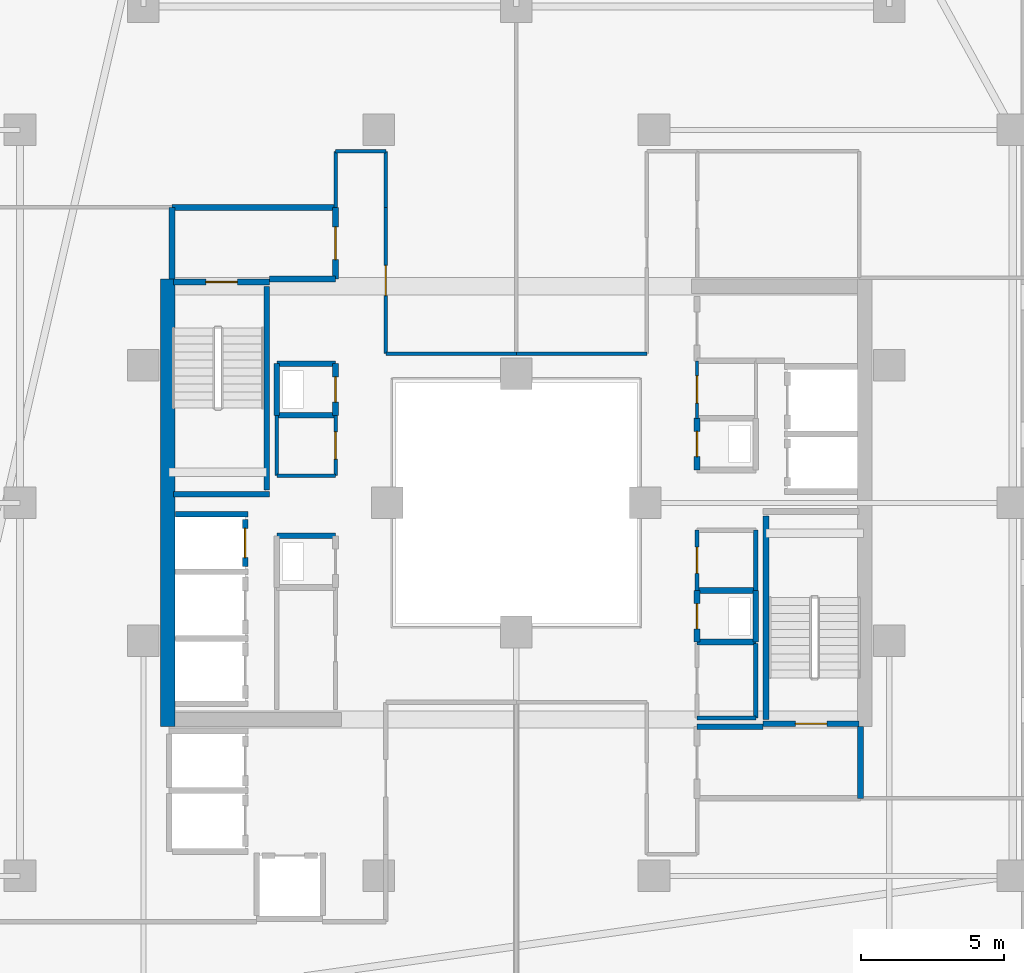
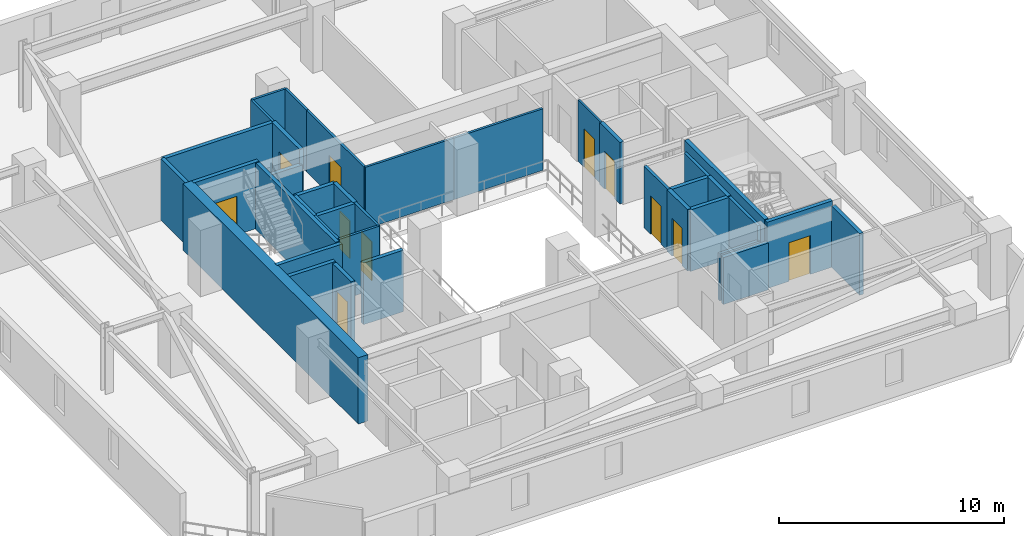
# One storey, part 24 of 32: 38 walls, 11 doors, 11 openings.
"""IFC4 building model written with IfcOpenShell, lengths in metres."""

from ifc_helpers import new_model, si_unit, direction, frame, frame_2d, origin, place, context, subcontext, project, spatial, rectangle, extrude, material, layer, layer_set, type_object, element, fill, save


model = new_model("IFC4")

# Units and contexts
model_context = context("Model", 3, precision=1e-05, world=origin(), true_north=direction((0.0, 1.0)))
body_context = subcontext(model_context, "Body", "Model", "MODEL_VIEW")
ifc_project = project(units=[si_unit("LENGTHUNIT", "METRE"), si_unit("AREAUNIT", "SQUARE_METRE"), si_unit("VOLUMEUNIT", "CUBIC_METRE"), si_unit("PLANEANGLEUNIT", "RADIAN"), si_unit("MASSUNIT", "GRAM", prefix="KILO")], contexts=[model_context])

# Site, building, storey
site_placement = place(None, origin())
site = spatial("IfcSite", under=ifc_project, at=site_placement, CompositionType="ELEMENT")
building_placement = place(site_placement, origin())
building = spatial("IfcBuilding", under=site, at=building_placement, Name="Thornwick Lancets Civic Towers", CompositionType="ELEMENT")
storey_placement = place(building_placement, frame((0.0, 0.0, 178.5)))
storey = spatial("IfcBuildingStorey", under=building, at=storey_placement, Name="L47", CompositionType="ELEMENT", Elevation=178.5)

# Wall, opening, door
ifc_material_1 = material(Name="Concrete blockwork C40/50", Category="masonry")
ifc_layer_1 = layer(ifc_material_1, 0.199951171875, Name="Concrete blockwork C40/50")
ifc_layer_set_1 = layer_set([ifc_layer_1], Name="Concrete blockwork C40/50")
wall_type_1 = type_object("IfcWallType", Name="WALL_COMP_200", PredefinedType="STANDARD", material=ifc_layer_set_1)
wall_1_placement = place(storey_placement, frame((79.050048828125, 24.780029296875, 0.0), z_axis=(0.0, 0.0, 1.0), x_axis=(0.0, 1.0, 0.0)))
wall_1 = element("IfcWall", 1, at=wall_1_placement, inside=storey, type_object=wall_type_1, Name="L47 Hoistway Front Wall FL-B2", PredefinedType="STANDARD", context=body_context, shape_type="SweptSolid", body=[
    extrude(rectangle(XDim=1.639892578125, YDim=0.199951171875, at=frame_2d((0.81982421875, 0.0))), origin(), (0.0, 0.0, 1.0), 3.340087890625),
])
opening_1_placement = place(wall_1_placement, frame((0.31005859375, 0.0, 0.0)))
opening_1 = element("IfcOpeningElement", 2, at=opening_1_placement, cuts=wall_1, Name="Opening LD-FL-B2", PredefinedType="OPENING", context=body_context, shape_type="SweptSolid", body=[
    extrude(rectangle(XDim=1.02001953125, YDim=2.06005859375, at=frame_2d((0.510009765625, 1.030029296875))), frame((0.0, 0.10986328125, 0.0), z_axis=(0.0, -1.0, 0.0), x_axis=(1.0, 0.0, 0.0)), (0.0, 0.0, 1.0), 0.219970703125),
])
ifc_material_2 = material(Name="Brushed bronze stainless steel", Category="steel")
door_type_1 = type_object("IfcDoorType", Name="DOOR_LIFT_SLIDE", OperationType="SLIDING_TO_LEFT", PredefinedType="DOOR", material=ifc_material_2)
door_1_placement = place(opening_1_placement, origin())
door_1 = element("IfcDoor", 3, at=door_1_placement, inside=storey, type_object=door_type_1, Name="L47 Sliding Lift Landing Door LD-FL-B2", OperationType="SLIDING_TO_LEFT", OverallHeight=2.06005859375, OverallWidth=1.02001953125, PredefinedType="DOOR", context=body_context, shape_type="SweptSolid", body=[
    extrude(rectangle(XDim=1.02001953125, YDim=2.06005859375, at=frame_2d((0.510009765625, 1.030029296875))), frame((0.0, 0.02490234375, 0.0), z_axis=(0.0, -1.0, 0.0), x_axis=(1.0, 0.0, 0.0)), (0.0, 0.0, 1.0), 0.050048828125),
])
fill(opening_1, door_1)

# Walls
wall_2_placement = place(storey_placement, frame((76.612060546875, 26.60009765625, 0.0), z_axis=(0.0, 0.0, 1.0), x_axis=(1.0, 0.0, 0.0)))
element("IfcWall", 4, at=wall_2_placement, inside=storey, type_object=wall_type_1, Name="L47 Hoistway Shaft Wall FL-B2 N", PredefinedType="STANDARD", context=body_context, shape_type="SweptSolid", body=[
    extrude(rectangle(XDim=2.535888671875, YDim=0.199951171875, at=frame_2d((1.26806640625, 0.0))), origin(), (0.0, 0.0, 1.0), 3.340087890625),
])
wall_3_placement = place(storey_placement, frame((100.5, 16.699951171875, 0.0), z_axis=(0.0, 0.0, 1.0), x_axis=(0.0, 1.0, 0.0)))
element("IfcWall", 5, at=wall_3_placement, inside=storey, type_object=wall_type_1, Name="L47 Partition L47-B-FFLOB1 E2", PredefinedType="STANDARD", context=body_context, shape_type="SweptSolid", body=[
    extrude(rectangle(XDim=2.5, YDim=0.199951171875, at=frame_2d((1.25, 0.0))), origin(), (0.0, 0.0, 1.0), 3.340087890625),
])
for number, where, z_axis, x_axis, name in (
    (6, (97.10009765625, 19.199951171875, 0.0), (0.0, 0.0, 1.0), (-1.0, 0.0, 0.0), "L47 Partition L47-B-FFLOB1 E3"),
    (7, (79.89990234375, 34.800048828125, 0.0), (0.0, 0.0, 1.0), (1.0, 0.0, 0.0), "L47 Partition L47-B-FFLOB2 E1"),
):
    element("IfcWall", number, at=place(storey_placement, frame(where, z_axis=z_axis, x_axis=x_axis)), inside=storey, type_object=wall_type_1, Name=name, PredefinedType="STANDARD", context=body_context, shape_type="SweptSolid", body=[
        extrude(rectangle(XDim=2.300048828125, YDim=0.199951171875, at=frame_2d((1.14990234375, 0.0))), origin(), (0.0, 0.0, 1.0), 2.544921875),
    ])

# Wall, opening, door
wall_4_placement = place(storey_placement, frame((82.199951171875, 34.800048828125, 0.0), z_axis=(0.0, 0.0, 1.0), x_axis=(0.0, 1.0, 0.0)))
wall_4 = element("IfcWall", 8, at=wall_4_placement, inside=storey, type_object=wall_type_1, Name="L47 Partition L47-B-FFLOB2 E2", PredefinedType="STANDARD", context=body_context, shape_type="SweptSolid", body=[
    extrude(rectangle(XDim=2.5, YDim=0.199951171875, at=frame_2d((1.25, 0.0))), origin(), (0.0, 0.0, 1.0), 3.340087890625),
])
opening_2_placement = place(wall_4_placement, frame((0.675048828125, 0.0, 0.0)))
opening_2 = element("IfcOpeningElement", 9, at=opening_2_placement, cuts=wall_4, Name="Opening D-L47-2100", PredefinedType="OPENING", context=body_context, shape_type="SweptSolid", body=[
    extrude(rectangle(XDim=1.14990234375, YDim=2.10009765625, at=frame_2d((0.574951171875, 1.050048828125))), frame((0.0, 0.10986328125, 0.0), z_axis=(0.0, -1.0, 0.0), x_axis=(1.0, 0.0, 0.0)), (0.0, 0.0, 1.0), 0.219970703125),
])
ifc_material_3 = material(Name="Glazed fire-resisting steel", Category="steel")
door_type_2 = type_object("IfcDoorType", Name="DOOR_LOBBY_FD60", OperationType="NOTDEFINED", PredefinedType="DOOR", material=ifc_material_3)
door_2_placement = place(opening_2_placement, origin())
door_2 = element("IfcDoor", 10, at=door_2_placement, inside=storey, type_object=door_type_2, Name="L47 West Firefighting Lobby 2 Door", OperationType="SINGLE_SWING_LEFT", OverallHeight=2.10009765625, OverallWidth=1.14990234375, PredefinedType="DOOR", context=body_context, shape_type="SweptSolid", body=[
    extrude(rectangle(XDim=1.14990234375, YDim=2.10009765625, at=frame_2d((0.574951171875, 1.050048828125))), frame((0.0, 0.02490234375, 0.0), z_axis=(0.0, -1.0, 0.0), x_axis=(1.0, 0.0, 0.0)), (0.0, 0.0, 1.0), 0.050048828125),
])
fill(opening_2, door_2)

# Walls
wall_5_placement = place(storey_placement, frame((82.199951171875, 37.300048828125, 0.0), z_axis=(0.0, 0.0, 1.0), x_axis=(-1.0, 0.0, 0.0)))
element("IfcWall", 11, at=wall_5_placement, inside=storey, type_object=wall_type_1, Name="L47 Partition L47-B-FFLOB2 E3", PredefinedType="STANDARD", context=body_context, shape_type="SweptSolid", body=[
    extrude(rectangle(XDim=5.699951171875, YDim=0.199951171875, at=frame_2d((2.85009765625, 0.0))), origin(), (0.0, 0.0, 1.0), 3.340087890625),
])
wall_6_placement = place(storey_placement, frame((76.5, 37.300048828125, 0.0), z_axis=(0.0, 0.0, 1.0), x_axis=(0.0, -1.0, 0.0)))
element("IfcWall", 12, at=wall_6_placement, inside=storey, type_object=wall_type_1, Name="L47 Partition L47-B-FFLOB2 E4", PredefinedType="STANDARD", context=body_context, shape_type="SweptSolid", body=[
    extrude(rectangle(XDim=2.5, YDim=0.199951171875, at=frame_2d((1.25, 0.0))), origin(), (0.0, 0.0, 1.0), 3.340087890625),
])

# Wall, opening, door
wall_7_placement = place(storey_placement, frame((94.800048828125, 29.949951171875, 0.0), z_axis=(0.0, 0.0, 1.0), x_axis=(0.0, -1.0, 0.0)))
wall_7 = element("IfcWall", 13, at=wall_7_placement, inside=storey, type_object=wall_type_1, Name="L47 Partition L47-B-DUCT1 E4", PredefinedType="STANDARD", context=body_context, shape_type="SweptSolid", body=[
    extrude(rectangle(XDim=1.800048828125, YDim=0.199951171875, at=frame_2d((0.89990234375, 0.0))), origin(), (0.0, 0.0, 1.0), 3.340087890625),
])
opening_3_placement = place(wall_7_placement, frame((0.4599609375, 0.0, 0.0)))
opening_3 = element("IfcOpeningElement", 14, at=opening_3_placement, cuts=wall_7, Name="Opening D-L47-2101", PredefinedType="OPENING", context=body_context, shape_type="SweptSolid", body=[
    extrude(rectangle(XDim=0.8798828125, YDim=2.0400390625, at=frame_2d((0.43994140625, 1.02001953125))), frame((0.0, 0.10986328125, 0.0), z_axis=(0.0, -1.0, 0.0), x_axis=(1.0, 0.0, 0.0)), (0.0, 0.0, 1.0), 0.219970703125),
])
ifc_material_4 = material(Name="Steel riser access doorset", Category="steel")
door_type_3 = type_object("IfcDoorType", Name="DOOR_RISER_850", OperationType="NOTDEFINED", PredefinedType="DOOR", material=ifc_material_4)
door_3_placement = place(opening_3_placement, origin())
door_3 = element("IfcDoor", 15, at=door_3_placement, inside=storey, type_object=door_type_3, Name="L47 East Service Duct 1 Door", OperationType="SINGLE_SWING_RIGHT", OverallHeight=2.0400390625, OverallWidth=0.8798828125, PredefinedType="DOOR", context=body_context, shape_type="SweptSolid", body=[
    extrude(rectangle(XDim=0.8798828125, YDim=2.0400390625, at=frame_2d((0.43994140625, 1.02001953125))), frame((0.0, 0.02490234375, 0.0), z_axis=(0.0, -1.0, 0.0), x_axis=(1.0, 0.0, 0.0)), (0.0, 0.0, 1.0), 0.050048828125),
])
fill(opening_3, door_3)

# Walls
wall_8_placement = place(storey_placement, frame((94.800048828125, 22.14990234375, 0.0), z_axis=(0.0, 0.0, 1.0), x_axis=(1.0, 0.0, 0.0)))
element("IfcWall", 16, at=wall_8_placement, inside=storey, type_object=wall_type_1, Name="L47 Partition L47-B-RISER1 E1", PredefinedType="STANDARD", context=body_context, shape_type="SweptSolid", body=[
    extrude(rectangle(XDim=2.050048828125, YDim=0.199951171875, at=frame_2d((1.02490234375, 0.0))), origin(), (0.0, 0.0, 1.0), 3.340087890625),
])
wall_9_placement = place(storey_placement, frame((96.85009765625, 22.14990234375, 0.0), z_axis=(0.0, 0.0, 1.0), x_axis=(0.0, 1.0, 0.0)))
element("IfcWall", 17, at=wall_9_placement, inside=storey, type_object=wall_type_1, Name="L47 Partition L47-B-RISER1 E2", PredefinedType="STANDARD", context=body_context, shape_type="SweptSolid", body=[
    extrude(rectangle(XDim=1.800048828125, YDim=0.199951171875, at=frame_2d((0.89990234375, 0.0))), origin(), (0.0, 0.0, 1.0), 3.340087890625),
])
wall_10_placement = place(storey_placement, frame((96.85009765625, 23.949951171875, 0.0), z_axis=(0.0, 0.0, 1.0), x_axis=(-1.0, 0.0, 0.0)))
element("IfcWall", 18, at=wall_10_placement, inside=storey, type_object=wall_type_1, Name="L47 Partition L47-B-RISER1 E3", PredefinedType="STANDARD", context=body_context, shape_type="SweptSolid", body=[
    extrude(rectangle(XDim=2.050048828125, YDim=0.199951171875, at=frame_2d((1.02490234375, 0.0))), origin(), (0.0, 0.0, 1.0), 3.340087890625),
])

# Wall, opening, door
wall_11_placement = place(storey_placement, frame((94.800048828125, 23.949951171875, 0.0), z_axis=(0.0, 0.0, 1.0), x_axis=(0.0, -1.0, 0.0)))
wall_11 = element("IfcWall", 19, at=wall_11_placement, inside=storey, type_object=wall_type_1, Name="L47 Partition L47-B-RISER1 E4", PredefinedType="STANDARD", context=body_context, shape_type="SweptSolid", body=[
    extrude(rectangle(XDim=1.800048828125, YDim=0.199951171875, at=frame_2d((0.89990234375, 0.0))), origin(), (0.0, 0.0, 1.0), 3.340087890625),
])
opening_4_placement = place(wall_11_placement, frame((0.4599609375, 0.0, 0.0)))
opening_4 = element("IfcOpeningElement", 20, at=opening_4_placement, cuts=wall_11, Name="Opening D-L47-2102", PredefinedType="OPENING", context=body_context, shape_type="SweptSolid", body=[
    extrude(rectangle(XDim=0.8798828125, YDim=2.0400390625, at=frame_2d((0.43994140625, 1.02001953125))), frame((0.0, 0.10986328125, 0.0), z_axis=(0.0, -1.0, 0.0), x_axis=(1.0, 0.0, 0.0)), (0.0, 0.0, 1.0), 0.219970703125),
])
door_4_placement = place(opening_4_placement, origin())
door_4 = element("IfcDoor", 21, at=door_4_placement, inside=storey, type_object=door_type_3, Name="L47 East Electrical Riser 1 Door", OperationType="SINGLE_SWING_LEFT", OverallHeight=2.0400390625, OverallWidth=0.8798828125, PredefinedType="DOOR", context=body_context, shape_type="SweptSolid", body=[
    extrude(rectangle(XDim=0.8798828125, YDim=2.0400390625, at=frame_2d((0.43994140625, 1.02001953125))), frame((0.0, 0.02490234375, 0.0), z_axis=(0.0, -1.0, 0.0), x_axis=(1.0, 0.0, 0.0)), (0.0, 0.0, 1.0), 0.050048828125),
])
fill(opening_4, door_4)

# Walls
for number, where, z_axis, x_axis, name in (
    (22, (82.199951171875, 25.85009765625, 0.0), (0.0, 0.0, 1.0), (-1.0, 0.0, 0.0), "L47 Partition L47-B-DUCT2 E3"),
    (23, (80.14990234375, 30.050048828125, 0.0), (0.0, 0.0, 1.0), (1.0, 0.0, 0.0), "L47 Partition L47-B-RISER2 E1"),
):
    element("IfcWall", number, at=place(storey_placement, frame(where, z_axis=z_axis, x_axis=x_axis)), inside=storey, type_object=wall_type_1, Name=name, PredefinedType="STANDARD", context=body_context, shape_type="SweptSolid", body=[
        extrude(rectangle(XDim=2.050048828125, YDim=0.199951171875, at=frame_2d((1.02490234375, 0.0))), origin(), (0.0, 0.0, 1.0), 3.340087890625),
    ])

# Wall, opening, door
wall_12_placement = place(storey_placement, frame((82.199951171875, 30.050048828125, 0.0), z_axis=(0.0, 0.0, 1.0), x_axis=(0.0, 1.0, 0.0)))
wall_12 = element("IfcWall", 24, at=wall_12_placement, inside=storey, type_object=wall_type_1, Name="L47 Partition L47-B-RISER2 E2", PredefinedType="STANDARD", context=body_context, shape_type="SweptSolid", body=[
    extrude(rectangle(XDim=1.800048828125, YDim=0.199951171875, at=frame_2d((0.89990234375, 0.0))), origin(), (0.0, 0.0, 1.0), 3.340087890625),
])
opening_5_placement = place(wall_12_placement, frame((0.4599609375, 0.0, 0.0)))
opening_5 = element("IfcOpeningElement", 25, at=opening_5_placement, cuts=wall_12, Name="Opening D-L47-2104", PredefinedType="OPENING", context=body_context, shape_type="SweptSolid", body=[
    extrude(rectangle(XDim=0.8798828125, YDim=2.0400390625, at=frame_2d((0.43994140625, 1.02001953125))), frame((0.0, 0.10986328125, 0.0), z_axis=(0.0, -1.0, 0.0), x_axis=(1.0, 0.0, 0.0)), (0.0, 0.0, 1.0), 0.219970703125),
])
door_5_placement = place(opening_5_placement, origin())
door_5 = element("IfcDoor", 26, at=door_5_placement, inside=storey, type_object=door_type_3, Name="L47 West Service Riser 2 Door", OperationType="SINGLE_SWING_LEFT", OverallHeight=2.0400390625, OverallWidth=0.8798828125, PredefinedType="DOOR", context=body_context, shape_type="SweptSolid", body=[
    extrude(rectangle(XDim=0.8798828125, YDim=2.0400390625, at=frame_2d((0.43994140625, 1.02001953125))), frame((0.0, 0.02490234375, 0.0), z_axis=(0.0, -1.0, 0.0), x_axis=(1.0, 0.0, 0.0)), (0.0, 0.0, 1.0), 0.050048828125),
])
fill(opening_5, door_5)

# Walls
wall_13_placement = place(storey_placement, frame((82.199951171875, 31.85009765625, 0.0), z_axis=(0.0, 0.0, 1.0), x_axis=(-1.0, 0.0, 0.0)))
element("IfcWall", 27, at=wall_13_placement, inside=storey, type_object=wall_type_1, Name="L47 Partition L47-B-RISER2 E3", PredefinedType="STANDARD", context=body_context, shape_type="SweptSolid", body=[
    extrude(rectangle(XDim=2.050048828125, YDim=0.199951171875, at=frame_2d((1.02490234375, 0.0))), origin(), (0.0, 0.0, 1.0), 3.340087890625),
])
wall_14_placement = place(storey_placement, frame((80.14990234375, 31.85009765625, 0.0), z_axis=(0.0, 0.0, 1.0), x_axis=(0.0, -1.0, 0.0)))
element("IfcWall", 28, at=wall_14_placement, inside=storey, type_object=wall_type_1, Name="L47 Partition L47-B-RISER2 E4", PredefinedType="STANDARD", context=body_context, shape_type="SweptSolid", body=[
    extrude(rectangle(XDim=1.800048828125, YDim=0.199951171875, at=frame_2d((0.89990234375, 0.0))), origin(), (0.0, 0.0, 1.0), 3.340087890625),
])
ifc_material_5 = material(Name="Concrete C50/60", Category="concrete")
ifc_layer_2 = layer(ifc_material_5, 0.5, Name="Concrete C50/60")
ifc_layer_set_2 = layer_set([ifc_layer_2], Name="Concrete C50/60")
wall_type_2 = type_object("IfcWallType", Name="WALL_CORE_500", PredefinedType="SHEAR", material=ifc_layer_set_2)
wall_15_placement = place(storey_placement, frame((76.35009765625, 19.199951171875, 0.0), z_axis=(0.0, 0.0, 1.0), x_axis=(0.0, 1.0, 0.0)))
element("IfcWall", 29, at=wall_15_placement, inside=storey, type_object=wall_type_2, Name="L47 Split Core B2 Shear Wall W", PredefinedType="SHEAR", context=body_context, shape_type="SweptSolid", body=[
    extrude(rectangle(XDim=15.60009765625, YDim=0.5, at=frame_2d((7.800048828125, 0.0))), origin(), (0.0, 0.0, 1.0), 3.60009765625),
])

# Wall, opening, door
ifc_material_6 = material(Name="Lightweight cellular office partition")
ifc_layer_3 = layer(ifc_material_6, 0.10009765625, Name="Lightweight cellular office partition")
ifc_layer_set_3 = layer_set([ifc_layer_3], Name="Lightweight cellular office partition")
wall_type_3 = type_object("IfcWallType", Name="WALL_PART_100", PredefinedType="PARTITIONING", material=ifc_layer_set_3)
wall_16_placement = place(storey_placement, frame((94.800048828125, 29.949951171875, 0.0), z_axis=(0.0, 0.0, 1.0), x_axis=(0.0, 1.0, 0.0)))
wall_16 = element("IfcWall", 30, at=wall_16_placement, inside=storey, type_object=wall_type_3, Name="L47 Partition L47-B-CLN E1", PredefinedType="PARTITIONING", context=body_context, shape_type="SweptSolid", body=[
    extrude(rectangle(XDim=2.0, YDim=0.10009765625, at=frame_2d((1.0, 0.0))), origin(), (0.0, 0.0, 1.0), 3.340087890625),
])
opening_6_placement = place(wall_16_placement, frame((0.52490234375, 0.0, 0.0)))
opening_6 = element("IfcOpeningElement", 31, at=opening_6_placement, cuts=wall_16, Name="Opening D-L47-2107", PredefinedType="OPENING", context=body_context, shape_type="SweptSolid", body=[
    extrude(rectangle(XDim=0.949951171875, YDim=2.10009765625, at=frame_2d((0.47509765625, 1.050048828125))), frame((0.0, 0.06005859375, 0.0), z_axis=(0.0, -1.0, 0.0), x_axis=(1.0, 0.0, 0.0)), (0.0, 0.0, 1.0), 0.1201171875),
])
ifc_material_7 = material(Name="European oak acoustic doorset")
door_type_4 = type_object("IfcDoorType", Name="DOOR_OFFICE_950", OperationType="NOTDEFINED", PredefinedType="DOOR", material=ifc_material_7)
door_6_placement = place(opening_6_placement, origin())
door_6 = element("IfcDoor", 32, at=door_6_placement, inside=storey, type_object=door_type_4, Name="L47 Tower B Cleaners Store Door", OperationType="SINGLE_SWING_RIGHT", OverallHeight=2.10009765625, OverallWidth=0.949951171875, PredefinedType="DOOR", context=body_context, shape_type="SweptSolid", body=[
    extrude(rectangle(XDim=0.949951171875, YDim=2.10009765625, at=frame_2d((0.47509765625, 1.050048828125))), frame((0.0, 0.02490234375, 0.0), z_axis=(0.0, -1.0, 0.0), x_axis=(1.0, 0.0, 0.0)), (0.0, 0.0, 1.0), 0.050048828125),
])
fill(opening_6, door_6)

# Walls
ifc_material_8 = material(Name="Acoustic gypsum board partition")
ifc_layer_4 = layer(ifc_material_8, 0.1201171875, Name="Acoustic gypsum board partition")
ifc_layer_set_4 = layer_set([ifc_layer_4], Name="Acoustic gypsum board partition")
wall_type_4 = type_object("IfcWallType", Name="WALL_PART_120", PredefinedType="PARTITIONING", material=ifc_layer_set_4)
wall_17_placement = place(storey_placement, frame((82.199951171875, 27.949951171875, 0.0), z_axis=(0.0, 0.0, 1.0), x_axis=(-1.0, 0.0, 0.0)))
element("IfcWall", 33, at=wall_17_placement, inside=storey, type_object=wall_type_4, Name="L47 Partition L47-B-ITR E1", PredefinedType="PARTITIONING", context=body_context, shape_type="SweptSolid", body=[
    extrude(rectangle(XDim=2.050048828125, YDim=0.1201171875, at=frame_2d((1.02490234375, 0.0))), origin(), (0.0, 0.0, 1.0), 3.340087890625),
])
wall_18_placement = place(storey_placement, frame((80.14990234375, 27.949951171875, 0.0), z_axis=(0.0, 0.0, 1.0), x_axis=(0.0, 1.0, 0.0)))
element("IfcWall", 34, at=wall_18_placement, inside=storey, type_object=wall_type_4, Name="L47 Partition L47-B-ITR E2", PredefinedType="PARTITIONING", context=body_context, shape_type="SweptSolid", body=[
    extrude(rectangle(XDim=2.10009765625, YDim=0.1201171875, at=frame_2d((1.050048828125, 0.0))), origin(), (0.0, 0.0, 1.0), 3.340087890625),
])

# Wall, opening, door
wall_19_placement = place(storey_placement, frame((82.199951171875, 30.050048828125, 0.0), z_axis=(0.0, 0.0, 1.0), x_axis=(0.0, -1.0, 0.0)))
wall_19 = element("IfcWall", 35, at=wall_19_placement, inside=storey, type_object=wall_type_4, Name="L47 Partition L47-B-ITR E4", PredefinedType="PARTITIONING", context=body_context, shape_type="SweptSolid", body=[
    extrude(rectangle(XDim=2.10009765625, YDim=0.1201171875, at=frame_2d((1.050048828125, 0.0))), origin(), (0.0, 0.0, 1.0), 3.340087890625),
])
opening_7_placement = place(wall_19_placement, frame((0.574951171875, 0.0, 0.0)))
opening_7 = element("IfcOpeningElement", 36, at=opening_7_placement, cuts=wall_19, Name="Opening D-L47-2110", PredefinedType="OPENING", context=body_context, shape_type="SweptSolid", body=[
    extrude(rectangle(XDim=0.949951171875, YDim=2.10009765625, at=frame_2d((0.47509765625, 1.050048828125))), frame((0.0, 0.070068359375, 0.0), z_axis=(0.0, -1.0, 0.0), x_axis=(1.0, 0.0, 0.0)), (0.0, 0.0, 1.0), 0.14013671875),
])
door_7_placement = place(opening_7_placement, origin())
door_7 = element("IfcDoor", 37, at=door_7_placement, inside=storey, type_object=door_type_4, Name="L47 Tower B Comms Patch Room Door", OperationType="SINGLE_SWING_LEFT", OverallHeight=2.10009765625, OverallWidth=0.949951171875, PredefinedType="DOOR", context=body_context, shape_type="SweptSolid", body=[
    extrude(rectangle(XDim=0.949951171875, YDim=2.10009765625, at=frame_2d((0.47509765625, 1.050048828125))), frame((0.0, 0.02490234375, 0.0), z_axis=(0.0, -1.0, 0.0), x_axis=(1.0, 0.0, 0.0)), (0.0, 0.0, 1.0), 0.050048828125),
])
fill(opening_7, door_7)

# Wall
wall_20_placement = place(storey_placement, frame((93.050048828125, 32.199951171875, 0.0), z_axis=(0.0, 0.0, 1.0), x_axis=(-1.0, 0.0, 0.0)))
element("IfcWall", 38, at=wall_20_placement, inside=storey, type_object=wall_type_4, Name="L47 Partition L47-B-E1 E5", PredefinedType="PARTITIONING", context=body_context, shape_type="SweptSolid", body=[
    extrude(rectangle(XDim=4.550048828125, YDim=0.1201171875, at=frame_2d((2.27490234375, 0.0))), origin(), (0.0, 0.0, 1.0), 3.340087890625),
])

# Wall, opening, door
wall_21_placement = place(storey_placement, frame((83.949951171875, 32.199951171875, 0.0), z_axis=(0.0, 0.0, 1.0), x_axis=(0.0, 1.0, 0.0)))
wall_21 = element("IfcWall", 39, at=wall_21_placement, inside=storey, type_object=wall_type_4, Name="L47 Partition L47-B-E3 E1", PredefinedType="PARTITIONING", context=body_context, shape_type="SweptSolid", body=[
    extrude(rectangle(XDim=5.10009765625, YDim=0.1201171875, at=frame_2d((2.550048828125, 0.0))), origin(), (0.0, 0.0, 1.0), 3.340087890625),
])
opening_8_placement = place(wall_21_placement, frame((2.02490234375, 0.0, 0.0)))
opening_8 = element("IfcOpeningElement", 40, at=opening_8_placement, cuts=wall_21, Name="Opening D-L47-2120", PredefinedType="OPENING", context=body_context, shape_type="SweptSolid", body=[
    extrude(rectangle(XDim=1.050048828125, YDim=2.10009765625, at=frame_2d((0.52490234375, 1.050048828125))), frame((0.0, 0.070068359375, 0.0), z_axis=(0.0, -1.0, 0.0), x_axis=(1.0, 0.0, 0.0)), (0.0, 0.0, 1.0), 0.14013671875),
])
ifc_material_9 = material(Name="Glazed European oak executive doorset")
door_type_5 = type_object("IfcDoorType", Name="DOOR_OFFICE_1050", OperationType="NOTDEFINED", PredefinedType="DOOR", material=ifc_material_9)
door_8_placement = place(opening_8_placement, origin())
door_8 = element("IfcDoor", 41, at=door_8_placement, inside=storey, type_object=door_type_5, Name="L47 Tower B Civic Seminar Room Door", OperationType="SINGLE_SWING_LEFT", OverallHeight=2.10009765625, OverallWidth=1.050048828125, PredefinedType="DOOR", context=body_context, shape_type="SweptSolid", body=[
    extrude(rectangle(XDim=1.050048828125, YDim=2.10009765625, at=frame_2d((0.52490234375, 1.050048828125))), frame((0.0, 0.02490234375, 0.0), z_axis=(0.0, -1.0, 0.0), x_axis=(1.0, 0.0, 0.0)), (0.0, 0.0, 1.0), 0.050048828125),
])
fill(opening_8, door_8)

# Walls
wall_22_placement = place(storey_placement, frame((83.949951171875, 37.300048828125, 0.0), z_axis=(0.0, 0.0, 1.0), x_axis=(0.0, 1.0, 0.0)))
element("IfcWall", 42, at=wall_22_placement, inside=storey, type_object=wall_type_4, Name="L47 Partition L47-B-E3 E2", PredefinedType="PARTITIONING", context=body_context, shape_type="SweptSolid", body=[
    extrude(rectangle(XDim=1.949951171875, YDim=0.1201171875, at=frame_2d((0.97509765625, 0.0))), origin(), (0.0, 0.0, 1.0), 3.340087890625),
])
wall_23_placement = place(storey_placement, frame((83.949951171875, 39.25, 0.0), z_axis=(0.0, 0.0, 1.0), x_axis=(-1.0, 0.0, 0.0)))
element("IfcWall", 43, at=wall_23_placement, inside=storey, type_object=wall_type_4, Name="L47 Partition L47-B-E3 E3", PredefinedType="PARTITIONING", context=body_context, shape_type="SweptSolid", body=[
    extrude(rectangle(XDim=1.75, YDim=0.1201171875, at=frame_2d((0.875, 0.0))), origin(), (0.0, 0.0, 1.0), 3.340087890625),
])
wall_24_placement = place(storey_placement, frame((82.199951171875, 39.25, 0.0), z_axis=(0.0, 0.0, 1.0), x_axis=(0.0, -1.0, 0.0)))
element("IfcWall", 44, at=wall_24_placement, inside=storey, type_object=wall_type_4, Name="L47 Partition L47-B-E3 E4", PredefinedType="PARTITIONING", context=body_context, shape_type="SweptSolid", body=[
    extrude(rectangle(XDim=1.949951171875, YDim=0.1201171875, at=frame_2d((0.97509765625, 0.0))), origin(), (0.0, 0.0, 1.0), 3.340087890625),
])
wall_25_placement = place(storey_placement, frame((88.5, 32.199951171875, 0.0), z_axis=(0.0, 0.0, 1.0), x_axis=(-1.0, 0.0, 0.0)))
element("IfcWall", 45, at=wall_25_placement, inside=storey, type_object=wall_type_4, Name="L47 Partition L47-B-E3 E11", PredefinedType="PARTITIONING", context=body_context, shape_type="SweptSolid", body=[
    extrude(rectangle(XDim=4.550048828125, YDim=0.1201171875, at=frame_2d((2.27490234375, 0.0))), origin(), (0.0, 0.0, 1.0), 3.340087890625),
])
ifc_material_10 = material(Name="Twin-stud acoustic gypsum board")
ifc_layer_5 = layer(ifc_material_10, 0.14990234375, Name="Twin-stud acoustic gypsum board")
ifc_layer_set_5 = layer_set([ifc_layer_5], Name="Twin-stud acoustic gypsum board")
wall_type_5 = type_object("IfcWallType", Name="WALL_PART_150", PredefinedType="PARTITIONING", material=ifc_layer_set_5)
wall_26_placement = place(storey_placement, frame((94.800048828125, 19.5, 0.0), z_axis=(0.0, 0.0, 1.0), x_axis=(1.0, 0.0, 0.0)))
element("IfcWall", 46, at=wall_26_placement, inside=storey, type_object=wall_type_5, Name="L47 Partition L47-B-MWC E1", PredefinedType="PARTITIONING", context=body_context, shape_type="SweptSolid", body=[
    extrude(rectangle(XDim=2.050048828125, YDim=0.14990234375, at=frame_2d((1.02490234375, 0.0))), origin(), (0.0, 0.0, 1.0), 2.544921875),
])
wall_27_placement = place(storey_placement, frame((96.85009765625, 19.5, 0.0), z_axis=(0.0, 0.0, 1.0), x_axis=(0.0, 1.0, 0.0)))
element("IfcWall", 47, at=wall_27_placement, inside=storey, type_object=wall_type_5, Name="L47 Partition L47-B-MWC E2", PredefinedType="PARTITIONING", context=body_context, shape_type="SweptSolid", body=[
    extrude(rectangle(XDim=2.60009765625, YDim=0.14990234375, at=frame_2d((1.300048828125, 0.0))), origin(), (0.0, 0.0, 1.0), 3.340087890625),
])

# Wall, opening, door
wall_28_placement = place(storey_placement, frame((94.800048828125, 23.949951171875, 0.0), z_axis=(0.0, 0.0, 1.0), x_axis=(0.0, 1.0, 0.0)))
wall_28 = element("IfcWall", 48, at=wall_28_placement, inside=storey, type_object=wall_type_5, Name="L47 Partition L47-B-AWC E1", PredefinedType="PARTITIONING", context=body_context, shape_type="SweptSolid", body=[
    extrude(rectangle(XDim=2.10009765625, YDim=0.14990234375, at=frame_2d((1.050048828125, 0.0))), origin(), (0.0, 0.0, 1.0), 3.340087890625),
])
opening_9_placement = place(wall_28_placement, frame((0.590087890625, 0.0, 0.0)))
opening_9 = element("IfcOpeningElement", 49, at=opening_9_placement, cuts=wall_28, Name="Opening D-L47-2106", PredefinedType="OPENING", context=body_context, shape_type="SweptSolid", body=[
    extrude(rectangle(XDim=0.919921875, YDim=2.080078125, at=frame_2d((0.4599609375, 1.0400390625))), frame((0.0, 0.0849609375, 0.0), z_axis=(0.0, -1.0, 0.0), x_axis=(1.0, 0.0, 0.0)), (0.0, 0.0, 1.0), 0.169921875),
])
ifc_material_11 = material(Name="Moisture-resistant oak doorset")
door_type_6 = type_object("IfcDoorType", Name="DOOR_WC_900", OperationType="NOTDEFINED", PredefinedType="DOOR", material=ifc_material_11)
door_9_placement = place(opening_9_placement, origin())
door_9 = element("IfcDoor", 50, at=door_9_placement, inside=storey, type_object=door_type_6, Name="L47 Tower B Accessible WC Door", OperationType="SINGLE_SWING_LEFT", OverallHeight=2.080078125, OverallWidth=0.919921875, PredefinedType="DOOR", context=body_context, shape_type="SweptSolid", body=[
    extrude(rectangle(XDim=0.919921875, YDim=2.080078125, at=frame_2d((0.4599609375, 1.0400390625))), frame((0.0, 0.02490234375, 0.0), z_axis=(0.0, -1.0, 0.0), x_axis=(1.0, 0.0, 0.0)), (0.0, 0.0, 1.0), 0.050048828125),
])
fill(opening_9, door_9)

# Wall
wall_29_placement = place(storey_placement, frame((96.85009765625, 26.050048828125, 0.0), z_axis=(0.0, 0.0, 1.0), x_axis=(0.0, -1.0, 0.0)))
element("IfcWall", 51, at=wall_29_placement, inside=storey, type_object=wall_type_5, Name="L47 Partition L47-B-AWC E3", PredefinedType="PARTITIONING", context=body_context, shape_type="SweptSolid", body=[
    extrude(rectangle(XDim=2.10009765625, YDim=0.14990234375, at=frame_2d((1.050048828125, 0.0))), origin(), (0.0, 0.0, 1.0), 3.340087890625),
])

# Wall, opening, door
ifc_material_12 = material(Name="Concrete C40/50", Category="concrete")
ifc_layer_6 = layer(ifc_material_12, 0.199951171875, Name="Concrete C40/50")
ifc_layer_set_6 = layer_set([ifc_layer_6], Name="Concrete C40/50")
wall_type_6 = type_object("IfcWallType", Name="WALL_SHAFT_200", PredefinedType="SHEAR", material=ifc_layer_set_6)
wall_30_placement = place(storey_placement, frame((100.449951171875, 19.300048828125, 0.0), z_axis=(0.0, 0.0, 1.0), x_axis=(-1.0, 0.0, 0.0)))
wall_30 = element("IfcWall", 52, at=wall_30_placement, inside=storey, type_object=wall_type_6, Name="L47 ST-B1 Fire Stair Core Wall NEAR", PredefinedType="SHEAR", context=body_context, shape_type="SweptSolid", body=[
    extrude(rectangle(XDim=3.349853515625, YDim=0.199951171875, at=frame_2d((1.6748046875, 0.0))), origin(), (0.0, 0.0, 1.0), 3.60009765625),
])
opening_10_placement = place(wall_30_placement, frame((1.125, 0.0, 0.0)))
opening_10 = element("IfcOpeningElement", 53, at=opening_10_placement, cuts=wall_30, Name="Opening D-ST-B1-L47", PredefinedType="OPENING", context=body_context, shape_type="SweptSolid", body=[
    extrude(rectangle(XDim=1.10009765625, YDim=2.10009765625, at=frame_2d((0.550048828125, 1.050048828125))), frame((0.0, 0.10986328125, 0.0), z_axis=(0.0, -1.0, 0.0), x_axis=(1.0, 0.0, 0.0)), (0.0, 0.0, 1.0), 0.219970703125),
])
ifc_material_13 = material(Name="Fire-resisting steel and hardwood", Category="steel")
door_type_7 = type_object("IfcDoorType", Name="DOOR_STAIR_FD60", OperationType="NOTDEFINED", PredefinedType="DOOR", material=ifc_material_13)
door_10_placement = place(opening_10_placement, origin())
door_10 = element("IfcDoor", 54, at=door_10_placement, inside=storey, type_object=door_type_7, Name="L47 ST-B1 Exit Stair Door", OperationType="SINGLE_SWING_RIGHT", OverallHeight=2.10009765625, OverallWidth=1.10009765625, PredefinedType="DOOR", context=body_context, shape_type="SweptSolid", body=[
    extrude(rectangle(XDim=1.10009765625, YDim=2.10009765625, at=frame_2d((0.550048828125, 1.050048828125))), frame((0.0, 0.02490234375, 0.0), z_axis=(0.0, -1.0, 0.0), x_axis=(1.0, 0.0, 0.0)), (0.0, 0.0, 1.0), 0.050048828125),
])
fill(opening_10, door_10)

# Wall
wall_31_placement = place(storey_placement, frame((97.202880859375, 26.550048828125, 0.0), z_axis=(0.0, 0.0, 1.0), x_axis=(0.0, -1.0, 0.0)))
element("IfcWall", 55, at=wall_31_placement, inside=storey, type_object=wall_type_6, Name="L47 ST-B1 Fire Stair Core Wall RIGHT", PredefinedType="SHEAR", context=body_context, shape_type="SweptSolid", body=[
    extrude(rectangle(XDim=7.10009765625, YDim=0.199951171875, at=frame_2d((3.550048828125, 0.0))), origin(), (0.0, 0.0, 1.0), 3.60009765625),
])

# Wall, opening, door
wall_32_placement = place(storey_placement, frame((76.550048828125, 34.699951171875, 0.0), z_axis=(0.0, 0.0, 1.0), x_axis=(1.0, 0.0, 0.0)))
wall_32 = element("IfcWall", 56, at=wall_32_placement, inside=storey, type_object=wall_type_6, Name="L47 ST-B2 Fire Stair Core Wall NEAR", PredefinedType="SHEAR", context=body_context, shape_type="SweptSolid", body=[
    extrude(rectangle(XDim=3.349853515625, YDim=0.199951171875, at=frame_2d((1.6748046875, 0.0))), origin(), (0.0, 0.0, 1.0), 3.60009765625),
])
opening_11_placement = place(wall_32_placement, frame((1.125, 0.0, 0.0)))
opening_11 = element("IfcOpeningElement", 57, at=opening_11_placement, cuts=wall_32, Name="Opening D-ST-B2-L47", PredefinedType="OPENING", context=body_context, shape_type="SweptSolid", body=[
    extrude(rectangle(XDim=1.10009765625, YDim=2.10009765625, at=frame_2d((0.550048828125, 1.050048828125))), frame((0.0, 0.10986328125, 0.0), z_axis=(0.0, -1.0, 0.0), x_axis=(1.0, 0.0, 0.0)), (0.0, 0.0, 1.0), 0.219970703125),
])
door_11_placement = place(opening_11_placement, origin())
door_11 = element("IfcDoor", 58, at=door_11_placement, inside=storey, type_object=door_type_7, Name="L47 ST-B2 Exit Stair Door", OperationType="SINGLE_SWING_LEFT", OverallHeight=2.10009765625, OverallWidth=1.10009765625, PredefinedType="DOOR", context=body_context, shape_type="SweptSolid", body=[
    extrude(rectangle(XDim=1.10009765625, YDim=2.10009765625, at=frame_2d((0.550048828125, 1.050048828125))), frame((0.0, 0.02490234375, 0.0), z_axis=(0.0, -1.0, 0.0), x_axis=(1.0, 0.0, 0.0)), (0.0, 0.0, 1.0), 0.050048828125),
])
fill(opening_11, door_11)

# Walls
wall_33_placement = place(storey_placement, frame((79.89990234375, 27.300048828125, 0.0), z_axis=(0.0, 0.0, 1.0), x_axis=(-1.0, 0.0, 0.0)))
element("IfcWall", 59, at=wall_33_placement, inside=storey, type_object=wall_type_6, Name="L47 ST-B2 Fire Stair Core Wall FAR", PredefinedType="SHEAR", context=body_context, shape_type="SweptSolid", body=[
    extrude(rectangle(XDim=3.349853515625, YDim=0.199951171875, at=frame_2d((1.6748046875, 0.0))), origin(), (0.0, 0.0, 1.0), 3.60009765625),
])
wall_34_placement = place(storey_placement, frame((79.797119140625, 27.449951171875, 0.0), z_axis=(0.0, 0.0, 1.0), x_axis=(0.0, 1.0, 0.0)))
element("IfcWall", 60, at=wall_34_placement, inside=storey, type_object=wall_type_6, Name="L47 ST-B2 Fire Stair Core Wall RIGHT", PredefinedType="SHEAR", context=body_context, shape_type="SweptSolid", body=[
    extrude(rectangle(XDim=7.10009765625, YDim=0.199951171875, at=frame_2d((3.550048828125, 0.0))), origin(), (0.0, 0.0, 1.0), 3.60009765625),
])

save(model, "model.ifc")
